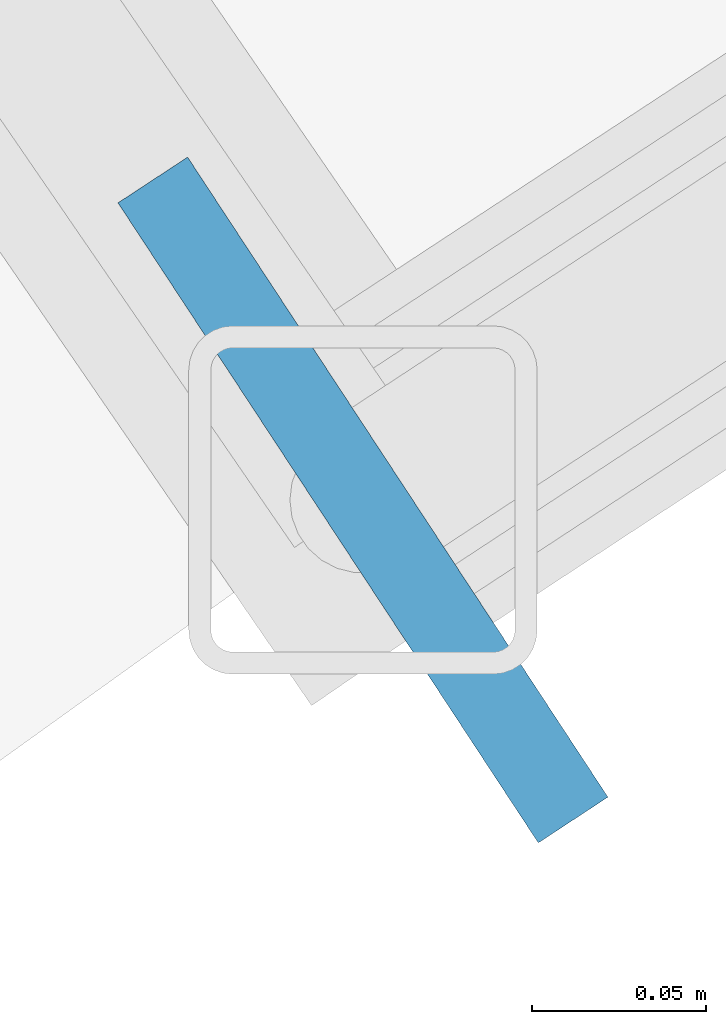
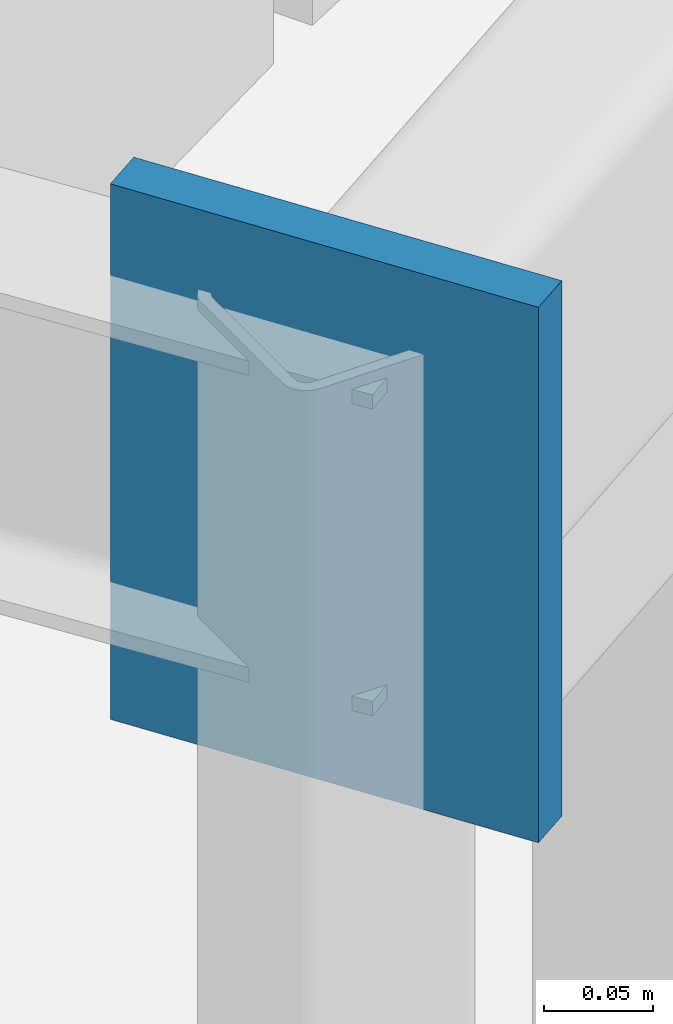
# One storey, part 52 of 101: 1 plate.
"""IFC4 building model written with IfcOpenShell, lengths in metres."""

from ifc_helpers import new_model, si_unit, direction, frame, origin, origin_2d, place, context, subcontext, project, spatial, rectangle, extrude, material, layer, layer_set, type_object, element, save


model = new_model("IFC4")

# Units and contexts
model_context = context("Model", 3, precision=1e-05, world=origin(), true_north=direction((0.0, 1.0)))
body_context = subcontext(model_context, "Body", "Model", "MODEL_VIEW")
ifc_project = project(units=[si_unit("LENGTHUNIT", "METRE"), si_unit("AREAUNIT", "SQUARE_METRE"), si_unit("VOLUMEUNIT", "CUBIC_METRE"), si_unit("PLANEANGLEUNIT", "RADIAN"), si_unit("MASSUNIT", "GRAM", prefix="KILO"), si_unit("POWERUNIT", "WATT"), si_unit("THERMODYNAMICTEMPERATUREUNIT", "KELVIN")], contexts=[model_context])

# Site, building, storey
site_placement = place(None, origin())
site = spatial("IfcSite", under=ifc_project, at=site_placement, CompositionType="ELEMENT")
building_placement = place(site_placement, origin())
building = spatial("IfcBuilding", under=site, at=building_placement, Name="Ruvembo Vaulted Housing Court", CompositionType="ELEMENT")
storey_placement = place(building_placement, frame((0.0, 0.0, 17.300048828125)))
storey = spatial("IfcBuildingStorey", under=building, at=storey_placement, Name="L05", CompositionType="ELEMENT", Elevation=17.300048828125)

# Plate
ifc_material = material(Name="Steel S355J2", Category="steel")
ifc_layer = layer(ifc_material, 0.01611328125, Name="Steel S355J2")
ifc_layer_set = layer_set([ifc_layer], Name="Steel S355J2")
plate_type = type_object("IfcPlateType", Name="PL-NODE-GUSSET-16", PredefinedType="USERDEFINED", material=ifc_layer_set)
plate_placement = place(storey_placement, frame((91.0673828125, 87.751220703125, 2.68212890625), z_axis=(0.0, 0.0, 1.0), x_axis=(0.835845688355, 0.548964466299, 0.0)))
element("IfcPlate", 1, at=plate_placement, inside=storey, type_object=plate_type, Name="Scoop SC3 L05 Hollow Spandrel End Cap Plate 0", ObjectType="GUSSET_PLATE", PredefinedType="USERDEFINED", context=body_context, shape_type="SweptSolid", body=[
    extrude(rectangle(XDim=0.02392578125, YDim=0.219970703125, at=origin_2d()), origin(), (0.0, 0.0, 1.0), 0.300048828125),
])

save(model, "model.ifc")
